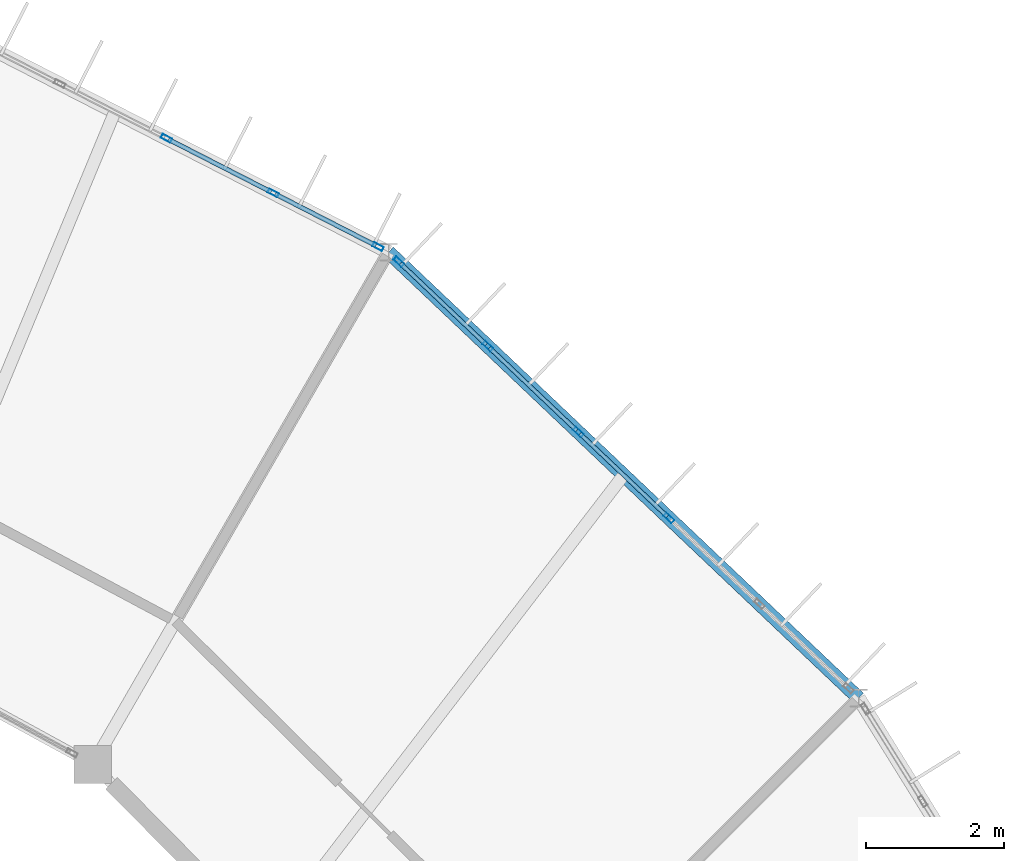
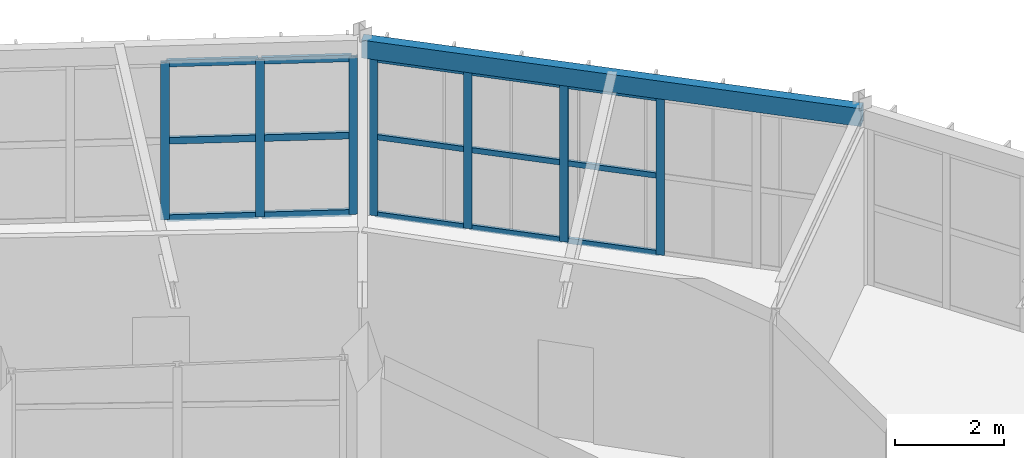
# One storey, part 39 of 66: 22 members, 1 beam, 2 elements without a shape of their own.
"""IFC4 building model written with IfcOpenShell, lengths in metres."""

from ifc_helpers import new_model, si_unit, direction, frame, origin, origin_2d, place, context, subcontext, project, spatial, hollow_rectangle, extrude, material, material_profile, profile_set, type_object, element, aggregate, save


model = new_model("IFC4")

# Units and contexts
model_context = context("Model", 3, precision=1e-05, world=origin(), true_north=direction((0.0, 1.0)))
body_context = subcontext(model_context, "Body", "Model", "MODEL_VIEW")
ifc_project = project(units=[si_unit("LENGTHUNIT", "METRE"), si_unit("AREAUNIT", "SQUARE_METRE"), si_unit("VOLUMEUNIT", "CUBIC_METRE"), si_unit("PLANEANGLEUNIT", "RADIAN"), si_unit("MASSUNIT", "GRAM", prefix="KILO")], contexts=[model_context])

# Site, building, storey
site_placement = place(None, origin())
site = spatial("IfcSite", under=ifc_project, at=site_placement, CompositionType="ELEMENT")
building_placement = place(site_placement, origin())
building = spatial("IfcBuilding", under=site, at=building_placement, Name="Karori Crest Natural Sciences Institute", CompositionType="ELEMENT")
storey_placement = place(building_placement, frame((0.0, 0.0, 30.10009765625)))
storey = spatial("IfcBuildingStorey", under=building, at=storey_placement, Name="L07", CompositionType="ELEMENT", Elevation=30.10009765625)

# Beam
ifc_material_1 = material(Name="Hollow structural steel AS/NZS 1163 Grade C350", Category="steel")
ifc_material_profile_1 = material_profile(ifc_material_1, hollow_rectangle(XDim=0.199951171875, YDim=0.39990234375, WallThickness=0.012451171875, at=origin_2d()), Name="RHS400x200x12.5")
ifc_profile_set_1 = profile_set([ifc_material_profile_1], Name="Hollow structural steel AS/NZS 1163 Grade C350")
beam_type = type_object("IfcBeamType", Name="BT-14", PredefinedType="SPANDREL", material=ifc_profile_set_1)
beam_placement = place(storey_placement, frame((89.734619140625, 78.75, 3.739990234375), z_axis=(-0.725481282589, 0.688241896874, 0.0), x_axis=(-0.688241896874, -0.725481282589, 0.0)))
element("IfcBeam", 1, at=beam_placement, inside=storey, type_object=beam_type, Name="Beam B-0653", PredefinedType="SPANDREL", context=body_context, shape_type="SweptSolid", body=[
    extrude(hollow_rectangle(XDim=0.199951171875, YDim=0.39990234375, WallThickness=0.012451171875, at=origin_2d()), origin(), (0.0, 0.0, 1.0), 9.4208984375),
])

# Curtain wall, members
ifc_material_2 = material(Name="Anodised architectural aluminium 6063-T6", Category="aluminium")
curtain_wall_type_1 = type_object("IfcCurtainWallType", Name="CWT-04", PredefinedType="NOTDEFINED", material=ifc_material_2)
curtain_wall_1_placement = place(storey_placement, origin())
curtain_wall_1 = element("IfcCurtainWall", 2, at=curtain_wall_1_placement, inside=storey, type_object=curtain_wall_type_1, Name="Curtain wall CW-0248", PredefinedType="NOTDEFINED")
ifc_material_profile_2 = material_profile(ifc_material_2, hollow_rectangle(XDim=0.06494140625, YDim=0.159912109375, WallThickness=0.00390625, at=origin_2d()), Name="CWM160x65x4")
ifc_profile_set_2 = profile_set([ifc_material_profile_2], Name="Anodised architectural aluminium 6063-T6")
member_type_1 = type_object("IfcMemberType", Name="CWM-01", PredefinedType="MULLION", material=ifc_profile_set_2)
member_1_placement = place(storey_placement, frame((83.049072265625, 85.09228515625, 0.0), z_axis=(0.0, 0.0, 1.0), x_axis=(0.688252251648, 0.725471459192, 0.0)))
member_1 = element("IfcMember", 3, at=member_1_placement, type_object=member_type_1, Name="CW-0248 mullion 1", PredefinedType="MULLION", context=body_context, shape_type="SweptSolid", body=[
    extrude(hollow_rectangle(XDim=0.06494140625, YDim=0.159912109375, WallThickness=0.00390625, at=origin_2d()), origin(), (0.0, 0.0, 1.0), 3.52490234375),
])
member_2_placement = place(storey_placement, frame((84.342041015625, 83.86572265625, 0.0), z_axis=(0.0, 0.0, 1.0), x_axis=(0.688252251648, 0.725471459192, 0.0)))
member_2 = element("IfcMember", 4, at=member_2_placement, type_object=member_type_1, Name="CW-0248 mullion 2", PredefinedType="MULLION", context=body_context, shape_type="SweptSolid", body=[
    extrude(hollow_rectangle(XDim=0.06494140625, YDim=0.159912109375, WallThickness=0.00390625, at=origin_2d()), origin(), (0.0, 0.0, 1.0), 3.52490234375),
])
member_3_placement = place(storey_placement, frame((85.658447265625, 82.61669921875, 0.0), z_axis=(0.0, 0.0, 1.0), x_axis=(0.688252251648, 0.725471459192, 0.0)))
member_3 = element("IfcMember", 5, at=member_3_placement, type_object=member_type_1, Name="CW-0248 mullion 3", PredefinedType="MULLION", context=body_context, shape_type="SweptSolid", body=[
    extrude(hollow_rectangle(XDim=0.06494140625, YDim=0.159912109375, WallThickness=0.00390625, at=origin_2d()), origin(), (0.0, 0.0, 1.0), 3.52490234375),
])
member_4_placement = place(storey_placement, frame((86.97509765625, 81.367919921875, 0.0), z_axis=(0.0, 0.0, 1.0), x_axis=(0.688252251648, 0.725471459192, 0.0)))
member_4 = element("IfcMember", 6, at=member_4_placement, type_object=member_type_1, Name="CW-0248 mullion 4", PredefinedType="MULLION", context=body_context, shape_type="SweptSolid", body=[
    extrude(hollow_rectangle(XDim=0.06494140625, YDim=0.159912109375, WallThickness=0.00390625, at=origin_2d()), origin(), (0.0, 0.0, 1.0), 3.52490234375),
])

curtain_wall_type_2 = type_object("IfcCurtainWallType", Name="CWT-05", PredefinedType="NOTDEFINED", material=ifc_material_2)
curtain_wall_2_placement = place(storey_placement, origin())
curtain_wall_2 = element("IfcCurtainWall", 7, at=curtain_wall_2_placement, inside=storey, type_object=curtain_wall_type_2, Name="Curtain wall CW-0249", PredefinedType="NOTDEFINED")
member_5_placement = place(storey_placement, frame((79.67138671875, 86.88720703125, 0.0), z_axis=(0.0, 0.0, 1.0), x_axis=(0.455828878252, 0.890067432138, 0.0)))
member_5 = element("IfcMember", 8, at=member_5_placement, type_object=member_type_1, Name="CW-0249 mullion 4", PredefinedType="MULLION", context=body_context, shape_type="SweptSolid", body=[
    extrude(hollow_rectangle(XDim=0.06494140625, YDim=0.159912109375, WallThickness=0.00390625, at=origin_2d()), origin(), (0.0, 0.0, 1.0), 3.52490234375),
])
member_6_placement = place(storey_placement, frame((81.22314453125, 86.092529296875, 0.0), z_axis=(0.0, 0.0, 1.0), x_axis=(0.455828878252, 0.890067432138, 0.0)))
member_6 = element("IfcMember", 9, at=member_6_placement, type_object=member_type_1, Name="CW-0249 mullion 5", PredefinedType="MULLION", context=body_context, shape_type="SweptSolid", body=[
    extrude(hollow_rectangle(XDim=0.06494140625, YDim=0.159912109375, WallThickness=0.00390625, at=origin_2d()), origin(), (0.0, 0.0, 1.0), 3.52490234375),
])
member_7_placement = place(storey_placement, frame((82.745849609375, 85.312744140625, 0.0), z_axis=(0.0, 0.0, 1.0), x_axis=(0.455828878252, 0.890067432138, 0.0)))
member_7 = element("IfcMember", 10, at=member_7_placement, type_object=member_type_1, Name="CW-0249 mullion 6", PredefinedType="MULLION", context=body_context, shape_type="SweptSolid", body=[
    extrude(hollow_rectangle(XDim=0.06494140625, YDim=0.159912109375, WallThickness=0.00390625, at=origin_2d()), origin(), (0.0, 0.0, 1.0), 3.52490234375),
])

# Member
ifc_material_profile_3 = material_profile(ifc_material_2, hollow_rectangle(XDim=0.06005859375, YDim=0.1201171875, WallThickness=0.00390625, at=origin_2d()), Name="CWT120x60x4")
ifc_profile_set_3 = profile_set([ifc_material_profile_3], Name="Anodised architectural aluminium 6063-T6")
member_type_2 = type_object("IfcMemberType", Name="CWT-TR1", PredefinedType="USERDEFINED", material=ifc_profile_set_3)
member_8_placement = place(storey_placement, frame((83.07275390625, 85.070068359375, 0.02978515625), z_axis=(0.725485539939, -0.68823740914, 0.0), x_axis=(0.68823740914, 0.725485539939, 0.0)))
member_8 = element("IfcMember", 11, at=member_8_placement, type_object=member_type_2, Name="CW-0248 transom 1.1", ObjectType="TRANSOM", PredefinedType="USERDEFINED", context=body_context, shape_type="SweptSolid", body=[
    extrude(hollow_rectangle(XDim=0.06005859375, YDim=0.1201171875, WallThickness=0.00390625, at=origin_2d()), origin(), (0.0, 0.0, 1.0), 1.71728515625),
])

member_9_placement = place(storey_placement, frame((83.07275390625, 85.070068359375, 1.762451171875), z_axis=(0.725485539939, -0.68823740914, 0.0), x_axis=(0.68823740914, 0.725485539939, 0.0)))
member_9 = element("IfcMember", 12, at=member_9_placement, type_object=member_type_2, Name="CW-0248 transom 1.2", ObjectType="TRANSOM", PredefinedType="USERDEFINED", context=body_context, shape_type="SweptSolid", body=[
    extrude(hollow_rectangle(XDim=0.06005859375, YDim=0.1201171875, WallThickness=0.00390625, at=origin_2d()), origin(), (0.0, 0.0, 1.0), 1.71728515625),
])

member_10_placement = place(storey_placement, frame((83.07275390625, 85.070068359375, 3.494873046875), z_axis=(0.725485539939, -0.68823740914, 0.0), x_axis=(0.68823740914, 0.725485539939, 0.0)))
member_10 = element("IfcMember", 13, at=member_10_placement, type_object=member_type_2, Name="CW-0248 transom 1.3", ObjectType="TRANSOM", PredefinedType="USERDEFINED", context=body_context, shape_type="SweptSolid", body=[
    extrude(hollow_rectangle(XDim=0.06005859375, YDim=0.1201171875, WallThickness=0.00390625, at=origin_2d()), origin(), (0.0, 0.0, 1.0), 1.71728515625),
])

member_11_placement = place(storey_placement, frame((84.36572265625, 83.843505859375, 0.02978515625), z_axis=(0.725420823959, -0.688305621194, 0.0), x_axis=(0.688305621194, 0.725420823959, 0.0)))
member_11 = element("IfcMember", 14, at=member_11_placement, type_object=member_type_2, Name="CW-0248 transom 2.1", ObjectType="TRANSOM", PredefinedType="USERDEFINED", context=body_context, shape_type="SweptSolid", body=[
    extrude(hollow_rectangle(XDim=0.06005859375, YDim=0.1201171875, WallThickness=0.00390625, at=origin_2d()), origin(), (0.0, 0.0, 1.0), 1.749755859375),
])

member_12_placement = place(storey_placement, frame((84.36572265625, 83.843505859375, 1.762451171875), z_axis=(0.725420823959, -0.688305621194, 0.0), x_axis=(0.688305621194, 0.725420823959, 0.0)))
member_12 = element("IfcMember", 15, at=member_12_placement, type_object=member_type_2, Name="CW-0248 transom 2.2", ObjectType="TRANSOM", PredefinedType="USERDEFINED", context=body_context, shape_type="SweptSolid", body=[
    extrude(hollow_rectangle(XDim=0.06005859375, YDim=0.1201171875, WallThickness=0.00390625, at=origin_2d()), origin(), (0.0, 0.0, 1.0), 1.749755859375),
])

member_13_placement = place(storey_placement, frame((84.36572265625, 83.843505859375, 3.494873046875), z_axis=(0.725420823959, -0.688305621194, 0.0), x_axis=(0.688305621194, 0.725420823959, 0.0)))
member_13 = element("IfcMember", 16, at=member_13_placement, type_object=member_type_2, Name="CW-0248 transom 2.3", ObjectType="TRANSOM", PredefinedType="USERDEFINED", context=body_context, shape_type="SweptSolid", body=[
    extrude(hollow_rectangle(XDim=0.06005859375, YDim=0.1201171875, WallThickness=0.00390625, at=origin_2d()), origin(), (0.0, 0.0, 1.0), 1.749755859375),
])

member_14_placement = place(storey_placement, frame((85.68212890625, 82.594482421875, 0.02978515625), z_axis=(0.725420823959, -0.688305621194, 0.0), x_axis=(0.688305621194, 0.725420823959, 0.0)))
member_14 = element("IfcMember", 17, at=member_14_placement, type_object=member_type_2, Name="CW-0248 transom 3.1", ObjectType="TRANSOM", PredefinedType="USERDEFINED", context=body_context, shape_type="SweptSolid", body=[
    extrude(hollow_rectangle(XDim=0.06005859375, YDim=0.1201171875, WallThickness=0.00390625, at=origin_2d()), origin(), (0.0, 0.0, 1.0), 1.749755859375),
])

member_15_placement = place(storey_placement, frame((85.68212890625, 82.594482421875, 1.762451171875), z_axis=(0.725420823959, -0.688305621194, 0.0), x_axis=(0.688305621194, 0.725420823959, 0.0)))
member_15 = element("IfcMember", 18, at=member_15_placement, type_object=member_type_2, Name="CW-0248 transom 3.2", ObjectType="TRANSOM", PredefinedType="USERDEFINED", context=body_context, shape_type="SweptSolid", body=[
    extrude(hollow_rectangle(XDim=0.06005859375, YDim=0.1201171875, WallThickness=0.00390625, at=origin_2d()), origin(), (0.0, 0.0, 1.0), 1.749755859375),
])

member_16_placement = place(storey_placement, frame((85.68212890625, 82.594482421875, 3.494873046875), z_axis=(0.725420823959, -0.688305621194, 0.0), x_axis=(0.688305621194, 0.725420823959, 0.0)))
member_16 = element("IfcMember", 19, at=member_16_placement, type_object=member_type_2, Name="CW-0248 transom 3.3", ObjectType="TRANSOM", PredefinedType="USERDEFINED", context=body_context, shape_type="SweptSolid", body=[
    extrude(hollow_rectangle(XDim=0.06005859375, YDim=0.1201171875, WallThickness=0.00390625, at=origin_2d()), origin(), (0.0, 0.0, 1.0), 1.749755859375),
])

aggregate(curtain_wall_1, [member_1, member_2, member_3, member_4, member_8, member_9, member_10, member_11, member_12, member_13, member_14, member_15, member_16])

ifc_material_profile_4 = material_profile(ifc_material_2, hollow_rectangle(XDim=0.06494140625, YDim=0.14990234375, WallThickness=0.00390625, at=origin_2d()), Name="CWT150x65x4")
ifc_profile_set_4 = profile_set([ifc_material_profile_4], Name="Anodised architectural aluminium 6063-T6")
member_type_3 = type_object("IfcMemberType", Name="CWT-TR2", PredefinedType="USERDEFINED", material=ifc_profile_set_4)
member_17_placement = place(storey_placement, frame((79.7001953125, 86.87255859375, 0.032470703125), z_axis=(0.890050562189, -0.455861817601, 0.0), x_axis=(0.455861817601, 0.890050562189, 0.0)))
member_17 = element("IfcMember", 20, at=member_17_placement, type_object=member_type_3, Name="CW-0249 transom 4.1", ObjectType="TRANSOM", PredefinedType="USERDEFINED", context=body_context, shape_type="SweptSolid", body=[
    extrude(hollow_rectangle(XDim=0.06494140625, YDim=0.14990234375, WallThickness=0.00390625, at=origin_2d()), origin(), (0.0, 0.0, 1.0), 1.678466796875),
])

member_18_placement = place(storey_placement, frame((79.7001953125, 86.87255859375, 1.762451171875), z_axis=(0.890050562189, -0.455861817601, 0.0), x_axis=(0.455861817601, 0.890050562189, 0.0)))
member_18 = element("IfcMember", 21, at=member_18_placement, type_object=member_type_3, Name="CW-0249 transom 4.2", ObjectType="TRANSOM", PredefinedType="USERDEFINED", context=body_context, shape_type="SweptSolid", body=[
    extrude(hollow_rectangle(XDim=0.06494140625, YDim=0.14990234375, WallThickness=0.00390625, at=origin_2d()), origin(), (0.0, 0.0, 1.0), 1.678466796875),
])

member_19_placement = place(storey_placement, frame((79.7001953125, 86.87255859375, 3.492431640625), z_axis=(0.890050562189, -0.455861817601, 0.0), x_axis=(0.455861817601, 0.890050562189, 0.0)))
member_19 = element("IfcMember", 22, at=member_19_placement, type_object=member_type_3, Name="CW-0249 transom 4.3", ObjectType="TRANSOM", PredefinedType="USERDEFINED", context=body_context, shape_type="SweptSolid", body=[
    extrude(hollow_rectangle(XDim=0.06494140625, YDim=0.14990234375, WallThickness=0.00390625, at=origin_2d()), origin(), (0.0, 0.0, 1.0), 1.678466796875),
])

member_20_placement = place(storey_placement, frame((81.251953125, 86.077880859375, 0.032470703125), z_axis=(0.890084461025, -0.455795625518, 0.0), x_axis=(0.455795625518, 0.890084461025, 0.0)))
member_20 = element("IfcMember", 23, at=member_20_placement, type_object=member_type_3, Name="CW-0249 transom 5.1", ObjectType="TRANSOM", PredefinedType="USERDEFINED", context=body_context, shape_type="SweptSolid", body=[
    extrude(hollow_rectangle(XDim=0.06494140625, YDim=0.14990234375, WallThickness=0.00390625, at=origin_2d()), origin(), (0.0, 0.0, 1.0), 1.64599609375),
])

member_21_placement = place(storey_placement, frame((81.251953125, 86.077880859375, 1.762451171875), z_axis=(0.890084461025, -0.455795625518, 0.0), x_axis=(0.455795625518, 0.890084461025, 0.0)))
member_21 = element("IfcMember", 24, at=member_21_placement, type_object=member_type_3, Name="CW-0249 transom 5.2", ObjectType="TRANSOM", PredefinedType="USERDEFINED", context=body_context, shape_type="SweptSolid", body=[
    extrude(hollow_rectangle(XDim=0.06494140625, YDim=0.14990234375, WallThickness=0.00390625, at=origin_2d()), origin(), (0.0, 0.0, 1.0), 1.64599609375),
])

member_22_placement = place(storey_placement, frame((81.251953125, 86.077880859375, 3.492431640625), z_axis=(0.890084461025, -0.455795625518, 0.0), x_axis=(0.455795625518, 0.890084461025, 0.0)))
member_22 = element("IfcMember", 25, at=member_22_placement, type_object=member_type_3, Name="CW-0249 transom 5.3", ObjectType="TRANSOM", PredefinedType="USERDEFINED", context=body_context, shape_type="SweptSolid", body=[
    extrude(hollow_rectangle(XDim=0.06494140625, YDim=0.14990234375, WallThickness=0.00390625, at=origin_2d()), origin(), (0.0, 0.0, 1.0), 1.64599609375),
])

aggregate(curtain_wall_2, [member_5, member_6, member_7, member_17, member_18, member_19, member_20, member_21, member_22])

save(model, "model.ifc")
